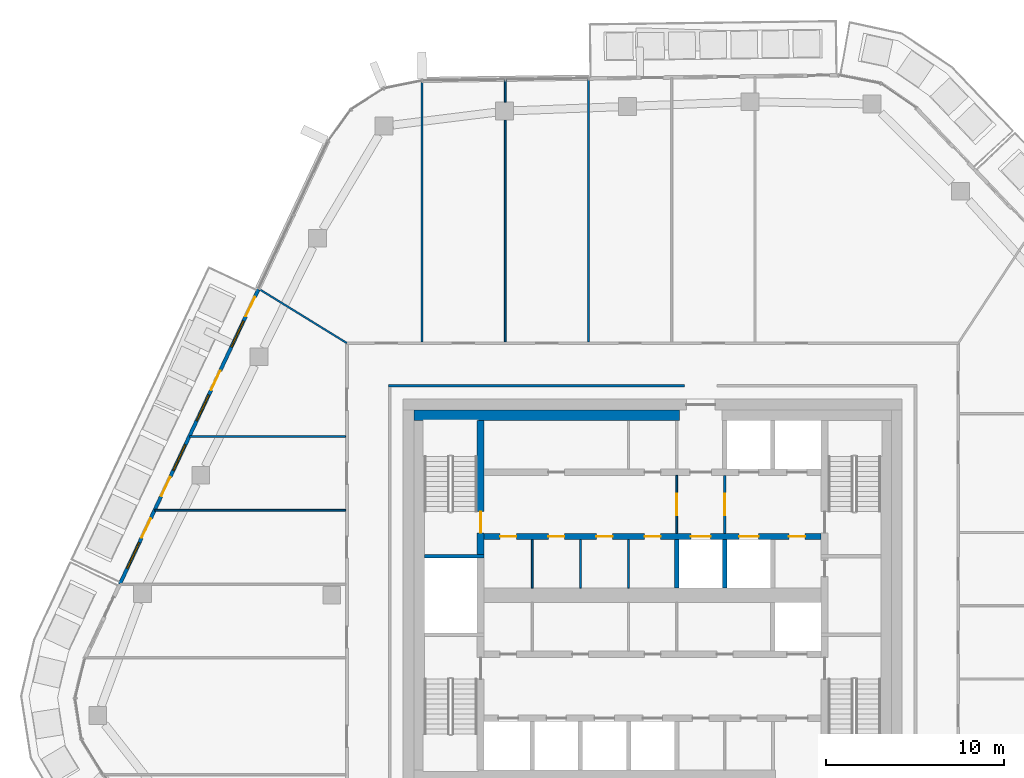
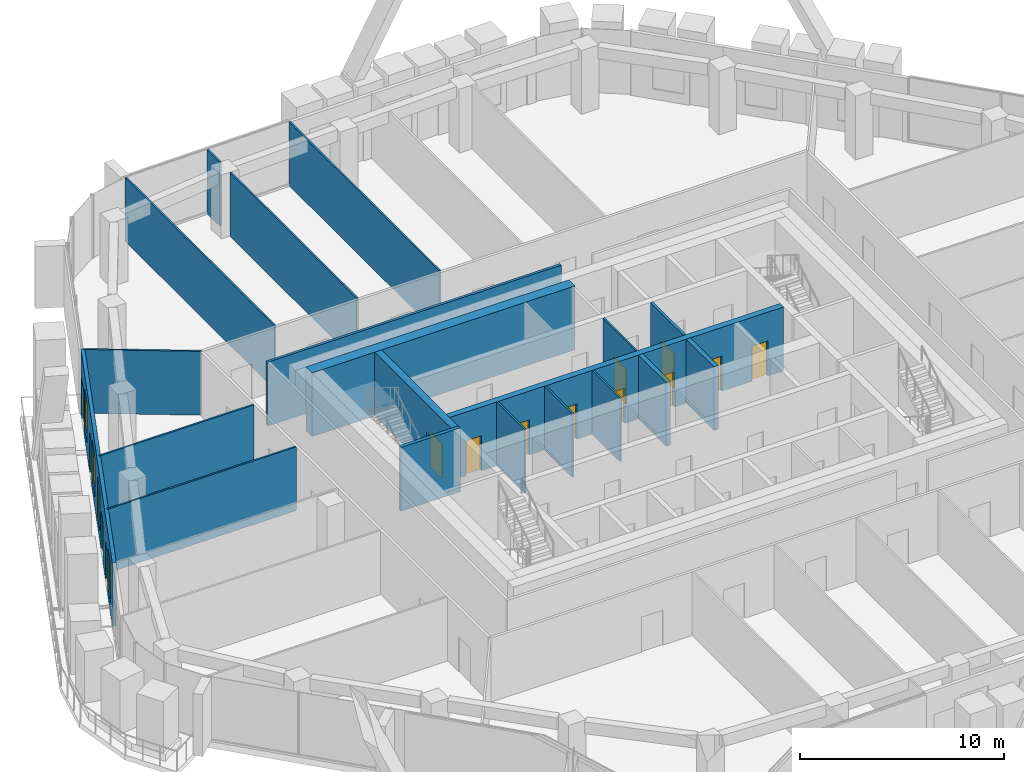
# One storey, part 15 of 23: 20 walls, 14 doors, 4 windows, 18 openings.
"""IFC4 building model written with IfcOpenShell, lengths in metres."""

import ifcopenshell
import ifcopenshell.guid

model = None  # the IFC model being written
_history = None  # IfcOwnerHistory: only IFC2X3 demands one
_inside = {}  # id of a spatial element -> (the spatial element, [elements in it])
_under = {}  # id of a project, library or spatial element -> (it, [spatial elements below it])
_declared = {}  # id of a project -> (the project, [libraries it declares])
_typed = {}  # id of a type object -> (the type object, [elements of that type])
_made_of = {}  # id of a material, layer set ... -> (it, [elements and type objects made of it])


def new_model(schema):
    """Start an empty IFC model of exactly this schema.

    Asked for "IFC4X3", IfcOpenShell would pick the latest addendum, in which some entities
    have other attributes; the version numbers below select the first issue.
    IFC2X3 requires an IfcOwnerHistory on every rooted entity: one is made here for all.
    """
    global model, _history
    if schema == "IFC4X3":
        model = ifcopenshell.file(schema_version=(4, 3, 0, 0))
    else:
        model = ifcopenshell.file(schema=schema)
    _inside.clear()
    _under.clear()
    _declared.clear()
    _typed.clear()
    _made_of.clear()
    _history = None
    if model.schema == "IFC2X3":
        org = make("IfcOrganization", Name="unknown")
        user = make(
            "IfcPersonAndOrganization",
            ThePerson=make("IfcPerson", FamilyName="unknown"),
            TheOrganization=org,
        )
        app = make(
            "IfcApplication",
            ApplicationDeveloper=org,
            Version="unknown",
            ApplicationFullName="unknown",
            ApplicationIdentifier="unknown",
        )
        _history = make(
            "IfcOwnerHistory",
            OwningUser=user,
            OwningApplication=app,
            ChangeAction="ADDED",
            CreationDate=0,
        )
    return model


def make(cls, **values):
    """One entity of the class cls with the attributes given. An attribute that is None is left unset."""
    return model.create_entity(
        cls, **{name: value for name, value in values.items() if value is not None}
    )


def rooted(cls, **values):
    """An entity with a GlobalId (a new one), such as an element, a storey or a relation."""
    return make(cls, GlobalId=ifcopenshell.guid.new(), OwnerHistory=_history, **values)


def si_unit(unit_type, name, prefix=None):
    """IfcSIUnit, for example si_unit("LENGTHUNIT", "METRE", prefix="MILLI")."""
    return make("IfcSIUnit", UnitType=unit_type, Prefix=prefix, Name=name)


def assignment(units):
    """IfcUnitAssignment: the units of a project."""
    return None if units is None else make("IfcUnitAssignment", Units=units)


def point(xyz):
    """IfcCartesianPoint."""
    return None if xyz is None else make("IfcCartesianPoint", Coordinates=xyz)


def direction(xyz):
    """IfcDirection."""
    return None if xyz is None else make("IfcDirection", DirectionRatios=xyz)


def frame(location, z_axis=None, x_axis=None):
    """IfcAxis2Placement3D, a coordinate frame: its origin and axes. An axis left out is left unset."""
    return make(
        "IfcAxis2Placement3D",
        Location=point(location),
        Axis=direction(z_axis),
        RefDirection=direction(x_axis),
    )


def frame_2d(location, x_axis=None):
    """IfcAxis2Placement2D, a coordinate frame in the plane: its origin and x axis."""
    return make(
        "IfcAxis2Placement2D", Location=point(location), RefDirection=direction(x_axis)
    )


def origin():
    """The frame at (0, 0, 0) with its axes left unset."""
    return frame((0.0, 0.0, 0.0))


def place(relative_to, where):
    """IfcLocalPlacement: puts the frame where relative to a parent placement (None: the world)."""
    return make(
        "IfcLocalPlacement", PlacementRelTo=relative_to, RelativePlacement=where
    )


def context(
    kind, dimensions, precision=None, world=None, true_north=None, identifier=None
):
    """IfcGeometricRepresentationContext, for example the 3D "Model" context."""
    return make(
        "IfcGeometricRepresentationContext",
        ContextIdentifier=identifier,
        ContextType=kind,
        CoordinateSpaceDimension=dimensions,
        Precision=precision,
        WorldCoordinateSystem=world,
        TrueNorth=true_north,
    )


def subcontext(parent, identifier, kind, view, scale=None):
    """IfcGeometricRepresentationSubContext, for example "Body" below "Model"."""
    return make(
        "IfcGeometricRepresentationSubContext",
        ContextIdentifier=identifier,
        ContextType=kind,
        ParentContext=parent,
        TargetScale=scale,
        TargetView=view,
    )


def project(units=None, contexts=None):
    """IfcProject with its units and contexts."""
    return rooted(
        "IfcProject",
        Name="project",
        RepresentationContexts=contexts,
        UnitsInContext=assignment(units),
    )


def spatial(cls, under=None, at=None, **own):
    """A site, building, storey or space (cls), placed at a placement, below another one or the project."""
    s = rooted(cls, ObjectPlacement=at, **own)
    if under is not None:
        _under.setdefault(under.id(), (under, []))[1].append(s)
    return s


def profile(cls, at=None, kind="AREA", **sizes):
    """A parametric profile (cls). Its sizes go by their IFC names, for example OverallWidth=200.0."""
    return make(cls, ProfileType=kind, Position=at, **sizes)


def rectangle(**sizes):
    """IfcRectangleProfileDef."""
    return profile("IfcRectangleProfileDef", **sizes)


def extrude(swept, where, along, depth):
    """IfcExtrudedAreaSolid: the profile swept, set in the frame where, extruded along a direction by depth."""
    return make(
        "IfcExtrudedAreaSolid",
        SweptArea=swept,
        Position=where,
        ExtrudedDirection=direction(along),
        Depth=depth,
    )


def shape(context_of_items, identifier, shape_type, items):
    """IfcShapeRepresentation: the items that make up one representation, for example the "Body"."""
    return make(
        "IfcShapeRepresentation",
        ContextOfItems=context_of_items,
        RepresentationIdentifier=identifier,
        RepresentationType=shape_type,
        Items=items,
    )


def material(Name=None, Category=None):
    """IfcMaterial."""
    return make("IfcMaterial", Name=Name, Category=Category)


def layer(
    of_material, thickness, ventilated=None, Name=None, Category=None, Priority=None
):
    """IfcMaterialLayer: one layer of a wall or slab, of a material (None: an air gap)."""
    return make(
        "IfcMaterialLayer",
        Material=of_material,
        LayerThickness=thickness,
        IsVentilated=ventilated,
        Name=Name,
        Category=Category,
        Priority=Priority,
    )


def layer_set(layers, Name=None):
    """IfcMaterialLayerSet."""
    return make("IfcMaterialLayerSet", MaterialLayers=layers, LayerSetName=Name)


def made_of(thing, what):
    """Note that an element or type object is made of a material, layer set ...; save() writes the relation."""
    if what is not None:
        _made_of.setdefault(what.id(), (what, []))[1].append(thing)
    return thing


def type_object(cls, material=None, **own):
    """A type object (cls), such as IfcWallType, which elements share."""
    return made_of(rooted(cls, **own), material)


def element(
    cls,
    number,
    at=None,
    inside=None,
    cuts=None,
    type_object=None,
    material=None,
    context=None,
    identifier="Body",
    shape_type=None,
    held_by="IfcProductDefinitionShape",
    body=None,
    shapes=None,
    **own,
):
    """One element of the class cls, such as IfcWall. Its Tag is "e" and its number.

    at: its placement. inside: the storey or other place that contains it. cuts: it is an
    opening in that element (IfcRelVoidsElement). A single representation is given by context,
    identifier, shape_type and body (its items); several are given by shapes. held_by: the class
    of the entity that holds the representations. save() writes the other relations.
    """
    e = rooted(cls, Tag="e%d" % number, ObjectPlacement=at, **own)
    if body is not None:
        shapes = [shape(context, identifier, shape_type, body)]
    if shapes is not None:
        e.Representation = make(held_by, Representations=shapes)
    if inside is not None:
        _inside.setdefault(inside.id(), (inside, []))[1].append(e)
    if cuts is not None:
        rooted(
            "IfcRelVoidsElement", RelatingBuildingElement=cuts, RelatedOpeningElement=e
        )
    if type_object is not None:
        _typed.setdefault(type_object.id(), (type_object, []))[1].append(e)
    return made_of(e, material)


def fill(opening, filler):
    """IfcRelFillsElement: the door or window that sits in an opening."""
    return rooted(
        "IfcRelFillsElement",
        RelatingOpeningElement=opening,
        RelatedBuildingElement=filler,
    )


def aggregate(whole, parts):
    """IfcRelAggregates: a whole, such as a stair, and the parts it consists of."""
    return rooted("IfcRelAggregates", RelatingObject=whole, RelatedObjects=parts)


def save(model, path):
    """Write the relations noted so far, then the file.

    IfcRelAggregates (storeys below a building ...), IfcRelContainedInSpatialStructure (elements
    in a storey), IfcRelDefinesByType, IfcRelAssociatesMaterial and IfcRelDeclares: one each for
    every whole, place, type object, material and project.
    """
    for whole, parts in _under.values():
        aggregate(whole, parts)
    for where, things in _inside.values():
        rooted(
            "IfcRelContainedInSpatialStructure",
            RelatedElements=things,
            RelatingStructure=where,
        )
    for kind, things in _typed.values():
        rooted("IfcRelDefinesByType", RelatedObjects=things, RelatingType=kind)
    for what, things in _made_of.values():
        rooted("IfcRelAssociatesMaterial", RelatedObjects=things, RelatingMaterial=what)
    for by, libraries in _declared.values():
        rooted("IfcRelDeclares", RelatingContext=by, RelatedDefinitions=libraries)
    model.write(path)


model = new_model("IFC4")

# Units and contexts
model_context = context("Model", 3, precision=1e-05, world=origin(), true_north=direction((0.0, 1.0)))
body_context = subcontext(model_context, "Body", "Model", "MODEL_VIEW")
ifc_project = project(units=[si_unit("LENGTHUNIT", "METRE"), si_unit("AREAUNIT", "SQUARE_METRE"), si_unit("VOLUMEUNIT", "CUBIC_METRE"), si_unit("PLANEANGLEUNIT", "RADIAN"), si_unit("MASSUNIT", "GRAM", prefix="KILO")], contexts=[model_context])

# Site, building, storey
site_placement = place(None, origin())
site = spatial("IfcSite", under=ifc_project, at=site_placement, CompositionType="ELEMENT")
building_placement = place(site_placement, origin())
building = spatial("IfcBuilding", under=site, at=building_placement, Name="Dongbaek Canopy Tower", CompositionType="ELEMENT")
storey_placement = place(building_placement, frame((0.0, 0.0, 340.39990234375)))
storey = spatial("IfcBuildingStorey", under=building, at=storey_placement, Name="L73", CompositionType="ELEMENT", Elevation=340.39990234375)

# Wall, openings, doors
ifc_material_1 = material(Name="Concrete C60/75", Category="concrete")
ifc_layer_1 = layer(ifc_material_1, 0.35009765625)
ifc_layer_set_1 = layer_set([ifc_layer_1], Name="Core lobby wall 350 Concrete C60/75")
wall_type_1 = type_object("IfcWallType", Name="Core lobby wall 350 Concrete C60/75", PredefinedType="SHEAR", material=ifc_layer_set_1)
wall_1_placement = place(storey_placement, frame((9.449951171875, 3.300048828125, 0.0), z_axis=(0.0, 0.0, 1.0), x_axis=(-1.0, 0.0, 0.0)))
wall_1 = element("IfcWall", 1, at=wall_1_placement, inside=storey, type_object=wall_type_1, Name="Core wall", PredefinedType="SHEAR", context=body_context, shape_type="SweptSolid", body=[
    extrude(rectangle(XDim=18.89990234375, YDim=0.35009765625, at=frame_2d((9.449951171875, 0.0))), origin(), (0.0, 0.0, 1.0), 3.820068359375),
])
opening_1_placement = place(wall_1_placement, frame((6.199951171875, 0.0, 0.0)))
opening_1 = element("IfcOpeningElement", 2, at=opening_1_placement, cuts=wall_1, Name="Opening L73-D030", PredefinedType="OPENING", context=body_context, shape_type="SweptSolid", body=[
    extrude(rectangle(XDim=1.10009765625, YDim=2.10009765625, at=frame_2d((0.550048828125, 1.050048828125))), frame((0.0, 0.18505859375, 0.0), z_axis=(0.0, -1.0, 0.0), x_axis=(1.0, 0.0, 0.0)), (0.0, 0.0, 1.0), 0.3701171875),
])
opening_2_placement = place(wall_1_placement, frame((3.5, 0.0, 0.0)))
opening_2 = element("IfcOpeningElement", 3, at=opening_2_placement, cuts=wall_1, Name="Opening L73-D031", PredefinedType="OPENING", context=body_context, shape_type="SweptSolid", body=[
    extrude(rectangle(XDim=1.10009765625, YDim=2.10009765625, at=frame_2d((0.550048828125, 1.050048828125))), frame((0.0, 0.18505859375, 0.0), z_axis=(0.0, -1.0, 0.0), x_axis=(1.0, 0.0, 0.0)), (0.0, 0.0, 1.0), 0.3701171875),
])
opening_3_placement = place(wall_1_placement, frame((0.89990234375, 0.0, 0.0)))
opening_3 = element("IfcOpeningElement", 4, at=opening_3_placement, cuts=wall_1, Name="Opening L73-D032", PredefinedType="OPENING", context=body_context, shape_type="SweptSolid", body=[
    extrude(rectangle(XDim=0.89990234375, YDim=2.10009765625, at=frame_2d((0.449951171875, 1.050048828125))), frame((0.0, 0.18505859375, 0.0), z_axis=(0.0, -1.0, 0.0), x_axis=(1.0, 0.0, 0.0)), (0.0, 0.0, 1.0), 0.3701171875),
])
opening_4_placement = place(wall_1_placement, frame((17.10009765625, 0.0, 0.0)))
opening_4 = element("IfcOpeningElement", 5, at=opening_4_placement, cuts=wall_1, Name="Opening L73-D042", PredefinedType="OPENING", context=body_context, shape_type="SweptSolid", body=[
    extrude(rectangle(XDim=0.89990234375, YDim=2.10009765625, at=frame_2d((0.449951171875, 1.050048828125))), frame((0.0, 0.18505859375, 0.0), z_axis=(0.0, -1.0, 0.0), x_axis=(1.0, 0.0, 0.0)), (0.0, 0.0, 1.0), 0.3701171875),
])
opening_5_placement = place(wall_1_placement, frame((14.39990234375, 0.0, 0.0)))
opening_5 = element("IfcOpeningElement", 6, at=opening_5_placement, cuts=wall_1, Name="Opening L73-D043", PredefinedType="OPENING", context=body_context, shape_type="SweptSolid", body=[
    extrude(rectangle(XDim=0.89990234375, YDim=2.10009765625, at=frame_2d((0.449951171875, 1.050048828125))), frame((0.0, 0.18505859375, 0.0), z_axis=(0.0, -1.0, 0.0), x_axis=(1.0, 0.0, 0.0)), (0.0, 0.0, 1.0), 0.3701171875),
])
opening_6_placement = place(wall_1_placement, frame((11.699951171875, 0.0, 0.0)))
opening_6 = element("IfcOpeningElement", 7, at=opening_6_placement, cuts=wall_1, Name="Opening L73-D044", PredefinedType="OPENING", context=body_context, shape_type="SweptSolid", body=[
    extrude(rectangle(XDim=0.89990234375, YDim=2.10009765625, at=frame_2d((0.449951171875, 1.050048828125))), frame((0.0, 0.18505859375, 0.0), z_axis=(0.0, -1.0, 0.0), x_axis=(1.0, 0.0, 0.0)), (0.0, 0.0, 1.0), 0.3701171875),
])
opening_7_placement = place(wall_1_placement, frame((9.0, 0.0, 0.0)))
opening_7 = element("IfcOpeningElement", 8, at=opening_7_placement, cuts=wall_1, Name="Opening L73-D045", PredefinedType="OPENING", context=body_context, shape_type="SweptSolid", body=[
    extrude(rectangle(XDim=0.89990234375, YDim=2.10009765625, at=frame_2d((0.449951171875, 1.050048828125))), frame((0.0, 0.18505859375, 0.0), z_axis=(0.0, -1.0, 0.0), x_axis=(1.0, 0.0, 0.0)), (0.0, 0.0, 1.0), 0.3701171875),
])
ifc_material_2 = material(Name="Steel", Category="steel")
door_type_1 = type_object("IfcDoorType", Name="Core room door 900 x 2100", OperationType="SINGLE_SWING_LEFT", PredefinedType="DOOR", material=ifc_material_2)
door_1_placement = place(opening_3_placement, origin())
door_1 = element("IfcDoor", 9, at=door_1_placement, inside=storey, type_object=door_type_1, Name="Door L73-D032", OperationType="SINGLE_SWING_LEFT", OverallHeight=2.10009765625, OverallWidth=0.89990234375, PredefinedType="DOOR", context=body_context, shape_type="SweptSolid", body=[
    extrude(rectangle(XDim=0.89990234375, YDim=2.10009765625, at=frame_2d((0.449951171875, 1.050048828125))), frame((0.0, 0.02490234375, 0.0), z_axis=(0.0, -1.0, 0.0), x_axis=(1.0, 0.0, 0.0)), (0.0, 0.0, 1.0), 0.050048828125),
])
fill(opening_3, door_1)
door_2_placement = place(opening_4_placement, origin())
door_2 = element("IfcDoor", 10, at=door_2_placement, inside=storey, type_object=door_type_1, Name="Door L73-D042", OperationType="SINGLE_SWING_RIGHT", OverallHeight=2.10009765625, OverallWidth=0.89990234375, PredefinedType="DOOR", context=body_context, shape_type="SweptSolid", body=[
    extrude(rectangle(XDim=0.89990234375, YDim=2.10009765625, at=frame_2d((0.449951171875, 1.050048828125))), frame((0.0, 0.02490234375, 0.0), z_axis=(0.0, -1.0, 0.0), x_axis=(1.0, 0.0, 0.0)), (0.0, 0.0, 1.0), 0.050048828125),
])
fill(opening_4, door_2)
door_3_placement = place(opening_5_placement, origin())
door_3 = element("IfcDoor", 11, at=door_3_placement, inside=storey, type_object=door_type_1, Name="Door L73-D043", OperationType="SINGLE_SWING_LEFT", OverallHeight=2.10009765625, OverallWidth=0.89990234375, PredefinedType="DOOR", context=body_context, shape_type="SweptSolid", body=[
    extrude(rectangle(XDim=0.89990234375, YDim=2.10009765625, at=frame_2d((0.449951171875, 1.050048828125))), frame((0.0, 0.02490234375, 0.0), z_axis=(0.0, -1.0, 0.0), x_axis=(1.0, 0.0, 0.0)), (0.0, 0.0, 1.0), 0.050048828125),
])
fill(opening_5, door_3)
door_4_placement = place(opening_6_placement, origin())
door_4 = element("IfcDoor", 12, at=door_4_placement, inside=storey, type_object=door_type_1, Name="Door L73-D044", OperationType="SINGLE_SWING_RIGHT", OverallHeight=2.10009765625, OverallWidth=0.89990234375, PredefinedType="DOOR", context=body_context, shape_type="SweptSolid", body=[
    extrude(rectangle(XDim=0.89990234375, YDim=2.10009765625, at=frame_2d((0.449951171875, 1.050048828125))), frame((0.0, 0.02490234375, 0.0), z_axis=(0.0, -1.0, 0.0), x_axis=(1.0, 0.0, 0.0)), (0.0, 0.0, 1.0), 0.050048828125),
])
fill(opening_6, door_4)
door_5_placement = place(opening_7_placement, origin())
door_5 = element("IfcDoor", 13, at=door_5_placement, inside=storey, type_object=door_type_1, Name="Door L73-D045", OperationType="SINGLE_SWING_LEFT", OverallHeight=2.10009765625, OverallWidth=0.89990234375, PredefinedType="DOOR", context=body_context, shape_type="SweptSolid", body=[
    extrude(rectangle(XDim=0.89990234375, YDim=2.10009765625, at=frame_2d((0.449951171875, 1.050048828125))), frame((0.0, 0.02490234375, 0.0), z_axis=(0.0, -1.0, 0.0), x_axis=(1.0, 0.0, 0.0)), (0.0, 0.0, 1.0), 0.050048828125),
])
fill(opening_7, door_5)
ifc_material_3 = material(Name="Stainless steel", Category="steel")
door_type_2 = type_object("IfcDoorType", Name="Lift landing door 1100 x 2100", OperationType="DOUBLE_DOOR_SLIDING", PredefinedType="DOOR", material=ifc_material_3)
door_6_placement = place(opening_1_placement, origin())
door_6 = element("IfcDoor", 14, at=door_6_placement, inside=storey, type_object=door_type_2, Name="Landing door SV1", OperationType="DOUBLE_DOOR_SLIDING", OverallHeight=2.10009765625, OverallWidth=1.10009765625, PredefinedType="DOOR", context=body_context, shape_type="SweptSolid", body=[
    extrude(rectangle(XDim=1.10009765625, YDim=2.10009765625, at=frame_2d((0.550048828125, 1.050048828125))), frame((0.0, 0.02490234375, 0.0), z_axis=(0.0, -1.0, 0.0), x_axis=(1.0, 0.0, 0.0)), (0.0, 0.0, 1.0), 0.050048828125),
])
fill(opening_1, door_6)
door_7_placement = place(opening_2_placement, origin())
door_7 = element("IfcDoor", 15, at=door_7_placement, inside=storey, type_object=door_type_2, Name="Landing door FF3", OperationType="DOUBLE_DOOR_SLIDING", OverallHeight=2.10009765625, OverallWidth=1.10009765625, PredefinedType="DOOR", context=body_context, shape_type="SweptSolid", body=[
    extrude(rectangle(XDim=1.10009765625, YDim=2.10009765625, at=frame_2d((0.550048828125, 1.050048828125))), frame((0.0, 0.02490234375, 0.0), z_axis=(0.0, -1.0, 0.0), x_axis=(1.0, 0.0, 0.0)), (0.0, 0.0, 1.0), 0.050048828125),
])
fill(opening_2, door_7)

# Walls
ifc_material_4 = material(Name="Concrete C60/75", Category="concrete")
ifc_layer_2 = layer(ifc_material_4, 0.60009765625)
ifc_layer_set_2 = layer_set([ifc_layer_2], Name="Core wall lining 600 Concrete C60/75")
wall_type_2 = type_object("IfcWallType", Name="Core wall lining 600 Concrete C60/75", PredefinedType="SHEAR", material=ifc_layer_set_2)
wall_2_placement = place(storey_placement, frame((-13.39990234375, 10.10009765625, 0.0), z_axis=(0.0, 0.0, 1.0), x_axis=(1.0, 0.0, 0.0)))
element("IfcWall", 16, at=wall_2_placement, inside=storey, type_object=wall_type_2, Name="Core wall lining", PredefinedType="SHEAR", context=body_context, shape_type="SweptSolid", body=[
    extrude(rectangle(XDim=14.89990234375, YDim=0.60009765625, at=frame_2d((7.449951171875, 0.0))), origin(), (0.0, 0.0, 1.0), 3.820068359375),
])
ifc_material_5 = material(Name="Gypsum board partition, steel stud, 2 x 15 mm fire board", Category="steel")
ifc_layer_3 = layer(ifc_material_5, 0.14990234375)
ifc_layer_set_3 = layer_set([ifc_layer_3], Name="Fire-rated partition 150 gypsum board")
wall_type_3 = type_object("IfcWallType", Name="Fire-rated partition 150 gypsum board", PredefinedType="PARTITIONING", material=ifc_layer_set_3)
wall_3_placement = place(storey_placement, frame((-14.824951171875, 11.75, 0.0), z_axis=(0.0, 0.0, 1.0), x_axis=(1.0, 0.0, 0.0)))
element("IfcWall", 17, at=wall_3_placement, inside=storey, type_object=wall_type_3, Name="Corridor partition", PredefinedType="PARTITIONING", context=body_context, shape_type="SweptSolid", body=[
    extrude(rectangle(XDim=16.625, YDim=0.14990234375, at=frame_2d((8.3125, 0.0))), origin(), (0.0, 0.0, 1.0), 3.820068359375),
])

# Wall, opening, door
wall_4_placement = place(storey_placement, frame((4.050048828125, 6.72509765625, 0.0), z_axis=(0.0, 0.0, 1.0), x_axis=(0.0, -1.0, 0.0)))
wall_4 = element("IfcWall", 18, at=wall_4_placement, inside=storey, type_object=wall_type_3, Name="Fire lobby partition", PredefinedType="PARTITIONING", context=body_context, shape_type="SweptSolid", body=[
    extrude(rectangle(XDim=3.25, YDim=0.14990234375, at=frame_2d((1.625, 0.0))), origin(), (0.0, 0.0, 1.0), 3.820068359375),
])
opening_8_placement = place(wall_4_placement, frame((1.02490234375, 0.0, 0.0)))
opening_8 = element("IfcOpeningElement", 19, at=opening_8_placement, cuts=wall_4, Name="Opening L73-D057", PredefinedType="OPENING", context=body_context, shape_type="SweptSolid", body=[
    extrude(rectangle(XDim=1.199951171875, YDim=2.10009765625, at=frame_2d((0.60009765625, 1.050048828125))), frame((0.0, 0.0849609375, 0.0), z_axis=(0.0, -1.0, 0.0), x_axis=(1.0, 0.0, 0.0)), (0.0, 0.0, 1.0), 0.169921875),
])
ifc_material_6 = material(Name="Steel", Category="steel")
door_type_3 = type_object("IfcDoorType", Name="Fire lobby door 1200 x 2100", OperationType="SINGLE_SWING_LEFT", PredefinedType="DOOR", material=ifc_material_6)
door_8_placement = place(opening_8_placement, origin())
door_8 = element("IfcDoor", 20, at=door_8_placement, inside=storey, type_object=door_type_3, Name="Door L73-D057", OperationType="SINGLE_SWING_RIGHT", OverallHeight=2.10009765625, OverallWidth=1.199951171875, PredefinedType="DOOR", context=body_context, shape_type="SweptSolid", body=[
    extrude(rectangle(XDim=1.199951171875, YDim=2.10009765625, at=frame_2d((0.60009765625, 1.050048828125))), frame((0.0, 0.02490234375, 0.0), z_axis=(0.0, -1.0, 0.0), x_axis=(1.0, 0.0, 0.0)), (0.0, 0.0, 1.0), 0.050048828125),
])
fill(opening_8, door_8)

# Walls
ifc_material_7 = material(Name="Concrete C40/50", Category="concrete")
ifc_layer_4 = layer(ifc_material_7, 0.25)
ifc_layer_set_4 = layer_set([ifc_layer_4], Name="Lift shaft wall 250 Concrete C40/50")
wall_type_4 = type_object("IfcWallType", Name="Lift shaft wall 250 Concrete C40/50", PredefinedType="SOLIDWALL", material=ifc_layer_set_4)
for number, where, z_axis, x_axis, name in (
    (21, (4.050048828125, 0.39990234375, 0.0), (0.0, 0.0, 1.0), (0.0, 1.0, 0.0), "Lift shaft wall"),
    (22, (1.35009765625, 0.39990234375, 0.0), (0.0, 0.0, 1.0), (0.0, 1.0, 0.0), "Lift shaft wall"),
):
    element("IfcWall", number, at=place(storey_placement, frame(where, z_axis=z_axis, x_axis=x_axis)), inside=storey, type_object=wall_type_4, Name=name, PredefinedType="SOLIDWALL", context=body_context, shape_type="SweptSolid", body=[
        extrude(rectangle(XDim=2.72509765625, YDim=0.25, at=frame_2d((1.362548828125, 0.0))), origin(), (0.0, 0.0, 1.0), 3.820068359375),
    ])
ifc_material_8 = material(Name="Gypsum board partition, steel stud, 2 x 12.5 mm board", Category="steel")
ifc_layer_5 = layer(ifc_material_8, 0.10009765625)
ifc_layer_set_5 = layer_set([ifc_layer_5], Name="Partition 100 gypsum board")
wall_type_5 = type_object("IfcWallType", Name="Partition 100 gypsum board", PredefinedType="PARTITIONING", material=ifc_layer_set_5)
wall_5_placement = place(storey_placement, frame((-27.919677734375, 4.76806640625, 0.0), z_axis=(0.0, 0.0, 1.0), x_axis=(1.0, 0.0, 0.0)))
element("IfcWall", 23, at=wall_5_placement, inside=storey, type_object=wall_type_5, Name="Partition", PredefinedType="PARTITIONING", context=body_context, shape_type="SweptSolid", body=[
    extrude(rectangle(XDim=10.694580078125, YDim=0.10009765625, at=frame_2d((5.34716796875, 0.0))), origin(), (0.0, 0.0, 1.0), 3.820068359375),
])
wall_6_placement = place(storey_placement, frame((-25.971923828125, 8.910888671875, 0.0), z_axis=(0.0, 0.0, 1.0), x_axis=(1.0, 0.0, 0.0)))
element("IfcWall", 24, at=wall_6_placement, inside=storey, type_object=wall_type_5, Name="Partition", PredefinedType="PARTITIONING", context=body_context, shape_type="SweptSolid", body=[
    extrude(rectangle(XDim=8.746826171875, YDim=0.10009765625, at=frame_2d((4.37353515625, 0.0))), origin(), (0.0, 0.0, 1.0), 3.820068359375),
])
wall_7_placement = place(storey_placement, frame((-3.593017578125, 14.22509765625, 0.0), z_axis=(0.0, 0.0, 1.0), x_axis=(0.0, 1.0, 0.0)))
element("IfcWall", 25, at=wall_7_placement, inside=storey, type_object=wall_type_5, Name="Partition", PredefinedType="PARTITIONING", context=body_context, shape_type="SweptSolid", body=[
    extrude(rectangle(XDim=14.746826171875, YDim=0.10009765625, at=frame_2d((7.37353515625, 0.0))), origin(), (0.0, 0.0, 1.0), 3.820068359375),
])
wall_8_placement = place(storey_placement, frame((-8.26806640625, 14.22509765625, 0.0), z_axis=(0.0, 0.0, 1.0), x_axis=(0.0, 1.0, 0.0)))
element("IfcWall", 26, at=wall_8_placement, inside=storey, type_object=wall_type_5, Name="Partition", PredefinedType="PARTITIONING", context=body_context, shape_type="SweptSolid", body=[
    extrude(rectangle(XDim=12.43896484375, YDim=0.10009765625, at=frame_2d((6.219482421875, 0.0))), origin(), (0.0, 0.0, 1.0), 3.820068359375),
])
wall_9_placement = place(storey_placement, frame((-8.26806640625, 27.6640625, 0.0), z_axis=(0.0, 0.0, 1.0), x_axis=(0.0, 1.0, 0.0)))
element("IfcWall", 27, at=wall_9_placement, inside=storey, type_object=wall_type_5, Name="Partition", PredefinedType="PARTITIONING", context=body_context, shape_type="SweptSolid", body=[
    extrude(rectangle(XDim=1.246337890625, YDim=0.10009765625, at=frame_2d((0.623046875, 0.0))), origin(), (0.0, 0.0, 1.0), 3.820068359375),
])
wall_10_placement = place(storey_placement, frame((-12.931884765625, 14.22509765625, 0.0), z_axis=(0.0, 0.0, 1.0), x_axis=(0.0, 1.0, 0.0)))
element("IfcWall", 28, at=wall_10_placement, inside=storey, type_object=wall_type_5, Name="Partition", PredefinedType="PARTITIONING", context=body_context, shape_type="SweptSolid", body=[
    extrude(rectangle(XDim=14.62353515625, YDim=0.10009765625, at=frame_2d((7.311767578125, 0.0))), origin(), (0.0, 0.0, 1.0), 3.820068359375),
])
wall_11_placement = place(storey_placement, frame((-22.081298828125, 17.185302734375, 0.0), z_axis=(0.0, 0.0, 1.0), x_axis=(0.85162357217, -0.524153881341, 0.0)))
element("IfcWall", 29, at=wall_11_placement, inside=storey, type_object=wall_type_5, Name="Partition", PredefinedType="PARTITIONING", context=body_context, shape_type="SweptSolid", body=[
    extrude(rectangle(XDim=5.79052734375, YDim=0.10009765625, at=frame_2d((2.895263671875, 0.0))), origin(), (0.0, 0.0, 1.0), 3.820068359375),
])

# Wall, opening, door
wall_12_placement = place(storey_placement, frame((1.35009765625, 6.72509765625, 0.0), z_axis=(0.0, 0.0, 1.0), x_axis=(0.0, -1.0, 0.0)))
wall_12 = element("IfcWall", 30, at=wall_12_placement, inside=storey, type_object=wall_type_5, Name="Core partition", PredefinedType="PARTITIONING", context=body_context, shape_type="SweptSolid", body=[
    extrude(rectangle(XDim=3.25, YDim=0.10009765625, at=frame_2d((1.625, 0.0))), origin(), (0.0, 0.0, 1.0), 3.820068359375),
])
opening_9_placement = place(wall_12_placement, frame((1.02490234375, 0.0, 0.0)))
opening_9 = element("IfcOpeningElement", 31, at=opening_9_placement, cuts=wall_12, Name="Opening L73-D056", PredefinedType="OPENING", context=body_context, shape_type="SweptSolid", body=[
    extrude(rectangle(XDim=1.199951171875, YDim=2.10009765625, at=frame_2d((0.60009765625, 1.050048828125))), frame((0.0, 0.06005859375, 0.0), z_axis=(0.0, -1.0, 0.0), x_axis=(1.0, 0.0, 0.0)), (0.0, 0.0, 1.0), 0.1201171875),
])
door_9_placement = place(opening_9_placement, origin())
door_9 = element("IfcDoor", 32, at=door_9_placement, inside=storey, type_object=door_type_3, Name="Door L73-D056", OperationType="SINGLE_SWING_LEFT", OverallHeight=2.10009765625, OverallWidth=1.199951171875, PredefinedType="DOOR", context=body_context, shape_type="SweptSolid", body=[
    extrude(rectangle(XDim=1.199951171875, YDim=2.10009765625, at=frame_2d((0.60009765625, 1.050048828125))), frame((0.0, 0.02490234375, 0.0), z_axis=(0.0, -1.0, 0.0), x_axis=(1.0, 0.0, 0.0)), (0.0, 0.0, 1.0), 0.050048828125),
])
fill(opening_9, door_9)

# Walls
for number, where, z_axis, x_axis, name in (
    (33, (-1.35009765625, 0.39990234375, 0.0), (0.0, 0.0, 1.0), (0.0, 1.0, 0.0), "Core partition"),
    (34, (-4.050048828125, 0.39990234375, 0.0), (0.0, 0.0, 1.0), (0.0, 1.0, 0.0), "Core partition"),
    (35, (-6.75, 0.39990234375, 0.0), (0.0, 0.0, 1.0), (0.0, 1.0, 0.0), "Core partition"),
):
    element("IfcWall", number, at=place(storey_placement, frame(where, z_axis=z_axis, x_axis=x_axis)), inside=storey, type_object=wall_type_5, Name=name, PredefinedType="PARTITIONING", context=body_context, shape_type="SweptSolid", body=[
        extrude(rectangle(XDim=2.72509765625, YDim=0.10009765625, at=frame_2d((1.362548828125, 0.0))), origin(), (0.0, 0.0, 1.0), 3.820068359375),
    ])
ifc_material_9 = material(Name="Concrete C60/75", Category="concrete")
ifc_layer_6 = layer(ifc_material_9, 0.199951171875)
ifc_layer_set_6 = layer_set([ifc_layer_6], Name="Riser wall 200 Concrete C60/75")
wall_type_6 = type_object("IfcWallType", Name="Riser wall 200 Concrete C60/75", PredefinedType="SHEAR", material=ifc_layer_set_6)
wall_13_placement = place(storey_placement, frame((-9.449951171875, 2.199951171875, 0.0), z_axis=(0.0, 0.0, 1.0), x_axis=(-1.0, 0.0, 0.0)))
element("IfcWall", 36, at=wall_13_placement, inside=storey, type_object=wall_type_6, Name="Riser wall", PredefinedType="SHEAR", context=body_context, shape_type="SweptSolid", body=[
    extrude(rectangle(XDim=3.35009765625, YDim=0.199951171875, at=frame_2d((1.675048828125, 0.0))), origin(), (0.0, 0.0, 1.0), 3.820068359375),
])

# Wall, opening, door
ifc_material_10 = material(Name="Concrete C60/75", Category="concrete")
ifc_layer_7 = layer(ifc_material_10, 0.39990234375)
ifc_layer_set_7 = layer_set([ifc_layer_7], Name="Stair wall 400 Concrete C60/75")
wall_type_7 = type_object("IfcWallType", Name="Stair wall 400 Concrete C60/75", PredefinedType="SHEAR", material=ifc_layer_set_7)
wall_14_placement = place(storey_placement, frame((-9.64990234375, 2.300048828125, 0.0), z_axis=(0.0, 0.0, 1.0), x_axis=(0.0, 1.0, 0.0)))
wall_14 = element("IfcWall", 37, at=wall_14_placement, inside=storey, type_object=wall_type_7, Name="Stair wall", PredefinedType="SHEAR", context=body_context, shape_type="SweptSolid", body=[
    extrude(rectangle(XDim=7.5, YDim=0.39990234375, at=frame_2d((3.75, 0.0))), origin(), (0.0, 0.0, 1.0), 3.820068359375),
])
opening_10_placement = place(wall_14_placement, frame((1.199951171875, 0.0, 0.0)))
opening_10 = element("IfcOpeningElement", 38, at=opening_10_placement, cuts=wall_14, Name="Opening L73-D053", PredefinedType="OPENING", context=body_context, shape_type="SweptSolid", body=[
    extrude(rectangle(XDim=1.199951171875, YDim=2.10009765625, at=frame_2d((0.60009765625, 1.050048828125))), frame((0.0, 0.2099609375, 0.0), z_axis=(0.0, -1.0, 0.0), x_axis=(1.0, 0.0, 0.0)), (0.0, 0.0, 1.0), 0.419921875),
])
ifc_material_11 = material(Name="Steel", Category="steel")
door_type_4 = type_object("IfcDoorType", Name="Stair door 1200 x 2100", OperationType="SINGLE_SWING_LEFT", PredefinedType="DOOR", material=ifc_material_11)
door_10_placement = place(opening_10_placement, origin())
door_10 = element("IfcDoor", 39, at=door_10_placement, inside=storey, type_object=door_type_4, Name="Stair C door", OperationType="SINGLE_SWING_RIGHT", OverallHeight=2.10009765625, OverallWidth=1.199951171875, PredefinedType="DOOR", context=body_context, shape_type="SweptSolid", body=[
    extrude(rectangle(XDim=1.199951171875, YDim=2.10009765625, at=frame_2d((0.60009765625, 1.050048828125))), frame((0.0, 0.02490234375, 0.0), z_axis=(0.0, -1.0, 0.0), x_axis=(1.0, 0.0, 0.0)), (0.0, 0.0, 1.0), 0.050048828125),
])
fill(opening_10, door_10)

# Wall, openings, doors, windows
ifc_material_12 = material(Name="Aluminium window wall", Category="aluminium")
ifc_layer_8 = layer(ifc_material_12, 0.199951171875)
ifc_layer_set_8 = layer_set([ifc_layer_8], Name="Window wall 200")
wall_type_8 = type_object("IfcWallType", Name="Window wall 200", PredefinedType="SOLIDWALL", material=ifc_layer_set_8)
wall_15_placement = place(storey_placement, frame((-22.098876953125, 17.195068359375, 0.0), z_axis=(0.0, 0.0, 1.0), x_axis=(-0.425492631057, -0.904961889206, 0.0)))
wall_15 = element("IfcWall", 40, at=wall_15_placement, inside=storey, type_object=wall_type_8, Name="Window wall L73 3", PredefinedType="SOLIDWALL", context=body_context, shape_type="SweptSolid", body=[
    extrude(rectangle(XDim=18.309326171875, YDim=0.199951171875, at=frame_2d((9.15478515625, 0.0))), origin(), (0.0, 0.0, 1.0), 3.820068359375),
])
opening_11_placement = place(wall_15_placement, frame((2.0, 0.0, 0.60009765625)))
opening_11 = element("IfcOpeningElement", 41, at=opening_11_placement, cuts=wall_15, Name="Opening W1", PredefinedType="OPENING", context=body_context, shape_type="SweptSolid", body=[
    extrude(rectangle(XDim=1.60009765625, YDim=2.39990234375, at=frame_2d((0.800048828125, 1.199951171875))), frame((0.0, 0.10986328125, 0.0), z_axis=(0.0, -1.0, 0.0), x_axis=(1.0, 0.0, 0.0)), (0.0, 0.0, 1.0), 0.219970703125),
])
opening_12_placement = place(wall_15_placement, frame((0.5, 0.0, 0.0)))
opening_12 = element("IfcOpeningElement", 42, at=opening_12_placement, cuts=wall_15, Name="Opening L73-B07", PredefinedType="OPENING", context=body_context, shape_type="SweptSolid", body=[
    extrude(rectangle(XDim=1.199951171875, YDim=2.39990234375, at=frame_2d((0.60009765625, 1.199951171875))), frame((0.0, 0.10986328125, 0.0), z_axis=(0.0, -1.0, 0.0), x_axis=(1.0, 0.0, 0.0)), (0.0, 0.0, 1.0), 0.219970703125),
])
opening_13_placement = place(wall_15_placement, frame((6.577392578125, 0.0, 0.60009765625)))
opening_13 = element("IfcOpeningElement", 43, at=opening_13_placement, cuts=wall_15, Name="Opening W1", PredefinedType="OPENING", context=body_context, shape_type="SweptSolid", body=[
    extrude(rectangle(XDim=1.60009765625, YDim=2.39990234375, at=frame_2d((0.800048828125, 1.199951171875))), frame((0.0, 0.10986328125, 0.0), z_axis=(0.0, -1.0, 0.0), x_axis=(1.0, 0.0, 0.0)), (0.0, 0.0, 1.0), 0.219970703125),
])
opening_14_placement = place(wall_15_placement, frame((5.077392578125, 0.0, 0.0)))
opening_14 = element("IfcOpeningElement", 44, at=opening_14_placement, cuts=wall_15, Name="Opening L73-B08", PredefinedType="OPENING", context=body_context, shape_type="SweptSolid", body=[
    extrude(rectangle(XDim=1.199951171875, YDim=2.39990234375, at=frame_2d((0.60009765625, 1.199951171875))), frame((0.0, 0.10986328125, 0.0), z_axis=(0.0, -1.0, 0.0), x_axis=(1.0, 0.0, 0.0)), (0.0, 0.0, 1.0), 0.219970703125),
])
opening_15_placement = place(wall_15_placement, frame((9.65478515625, 0.0, 0.60009765625)))
opening_15 = element("IfcOpeningElement", 45, at=opening_15_placement, cuts=wall_15, Name="Opening W1", PredefinedType="OPENING", context=body_context, shape_type="SweptSolid", body=[
    extrude(rectangle(XDim=1.60009765625, YDim=2.39990234375, at=frame_2d((0.800048828125, 1.199951171875))), frame((0.0, 0.10986328125, 0.0), z_axis=(0.0, -1.0, 0.0), x_axis=(1.0, 0.0, 0.0)), (0.0, 0.0, 1.0), 0.219970703125),
])
opening_16_placement = place(wall_15_placement, frame((11.65478515625, 0.0, 0.0)))
opening_16 = element("IfcOpeningElement", 46, at=opening_16_placement, cuts=wall_15, Name="Opening L73-B09", PredefinedType="OPENING", context=body_context, shape_type="SweptSolid", body=[
    extrude(rectangle(XDim=1.199951171875, YDim=2.39990234375, at=frame_2d((0.60009765625, 1.199951171875))), frame((0.0, 0.10986328125, 0.0), z_axis=(0.0, -1.0, 0.0), x_axis=(1.0, 0.0, 0.0)), (0.0, 0.0, 1.0), 0.219970703125),
])
opening_17_placement = place(wall_15_placement, frame((15.732177734375, 0.0, 0.60009765625)))
opening_17 = element("IfcOpeningElement", 47, at=opening_17_placement, cuts=wall_15, Name="Opening W1", PredefinedType="OPENING", context=body_context, shape_type="SweptSolid", body=[
    extrude(rectangle(XDim=1.60009765625, YDim=2.39990234375, at=frame_2d((0.800048828125, 1.199951171875))), frame((0.0, 0.10986328125, 0.0), z_axis=(0.0, -1.0, 0.0), x_axis=(1.0, 0.0, 0.0)), (0.0, 0.0, 1.0), 0.219970703125),
])
opening_18_placement = place(wall_15_placement, frame((14.232177734375, 0.0, 0.0)))
opening_18 = element("IfcOpeningElement", 48, at=opening_18_placement, cuts=wall_15, Name="Opening L73-B10", PredefinedType="OPENING", context=body_context, shape_type="SweptSolid", body=[
    extrude(rectangle(XDim=1.199951171875, YDim=2.39990234375, at=frame_2d((0.60009765625, 1.199951171875))), frame((0.0, 0.10986328125, 0.0), z_axis=(0.0, -1.0, 0.0), x_axis=(1.0, 0.0, 0.0)), (0.0, 0.0, 1.0), 0.219970703125),
])
ifc_material_13 = material(Name="Clear glazing in aluminium frame", Category="aluminium")
door_type_5 = type_object("IfcDoorType", Name="Balcony door BD1 1200 x 2400", OperationType="SLIDING_TO_LEFT", PredefinedType="DOOR", material=ifc_material_13)
door_11_placement = place(opening_12_placement, origin())
door_11 = element("IfcDoor", 49, at=door_11_placement, inside=storey, type_object=door_type_5, Name="Balcony door L73-B07", OperationType="SLIDING_TO_LEFT", OverallHeight=2.39990234375, OverallWidth=1.199951171875, PredefinedType="DOOR", context=body_context, shape_type="SweptSolid", body=[
    extrude(rectangle(XDim=1.199951171875, YDim=2.39990234375, at=frame_2d((0.60009765625, 1.199951171875))), frame((0.0, 0.02490234375, 0.0), z_axis=(0.0, -1.0, 0.0), x_axis=(1.0, 0.0, 0.0)), (0.0, 0.0, 1.0), 0.050048828125),
])
fill(opening_12, door_11)
door_12_placement = place(opening_14_placement, origin())
door_12 = element("IfcDoor", 50, at=door_12_placement, inside=storey, type_object=door_type_5, Name="Balcony door L73-B08", OperationType="SLIDING_TO_LEFT", OverallHeight=2.39990234375, OverallWidth=1.199951171875, PredefinedType="DOOR", context=body_context, shape_type="SweptSolid", body=[
    extrude(rectangle(XDim=1.199951171875, YDim=2.39990234375, at=frame_2d((0.60009765625, 1.199951171875))), frame((0.0, 0.02490234375, 0.0), z_axis=(0.0, -1.0, 0.0), x_axis=(1.0, 0.0, 0.0)), (0.0, 0.0, 1.0), 0.050048828125),
])
fill(opening_14, door_12)
door_13_placement = place(opening_16_placement, origin())
door_13 = element("IfcDoor", 51, at=door_13_placement, inside=storey, type_object=door_type_5, Name="Balcony door L73-B09", OperationType="SLIDING_TO_LEFT", OverallHeight=2.39990234375, OverallWidth=1.199951171875, PredefinedType="DOOR", context=body_context, shape_type="SweptSolid", body=[
    extrude(rectangle(XDim=1.199951171875, YDim=2.39990234375, at=frame_2d((0.60009765625, 1.199951171875))), frame((0.0, 0.02490234375, 0.0), z_axis=(0.0, -1.0, 0.0), x_axis=(1.0, 0.0, 0.0)), (0.0, 0.0, 1.0), 0.050048828125),
])
fill(opening_16, door_13)
door_14_placement = place(opening_18_placement, origin())
door_14 = element("IfcDoor", 52, at=door_14_placement, inside=storey, type_object=door_type_5, Name="Balcony door L73-B10", OperationType="SLIDING_TO_LEFT", OverallHeight=2.39990234375, OverallWidth=1.199951171875, PredefinedType="DOOR", context=body_context, shape_type="SweptSolid", body=[
    extrude(rectangle(XDim=1.199951171875, YDim=2.39990234375, at=frame_2d((0.60009765625, 1.199951171875))), frame((0.0, 0.02490234375, 0.0), z_axis=(0.0, -1.0, 0.0), x_axis=(1.0, 0.0, 0.0)), (0.0, 0.0, 1.0), 0.050048828125),
])
fill(opening_18, door_14)
ifc_material_14 = material(Name="Clear glazing in aluminium frame", Category="aluminium")
window_type = type_object("IfcWindowType", Name="Window W1 1600 x 2400", PartitioningType="SINGLE_PANEL", PredefinedType="WINDOW", material=ifc_material_14)
window_1_placement = place(opening_11_placement, origin())
window_1 = element("IfcWindow", 53, at=window_1_placement, inside=storey, type_object=window_type, Name="Window L73 3.1", OverallHeight=2.39990234375, OverallWidth=1.60009765625, PartitioningType="SINGLE_PANEL", PredefinedType="WINDOW", context=body_context, shape_type="SweptSolid", body=[
    extrude(rectangle(XDim=1.60009765625, YDim=2.39990234375, at=frame_2d((0.800048828125, 1.199951171875))), frame((0.0, 0.030029296875, 0.0), z_axis=(0.0, -1.0, 0.0), x_axis=(1.0, 0.0, 0.0)), (0.0, 0.0, 1.0), 0.06005859375),
])
fill(opening_11, window_1)
window_2_placement = place(opening_13_placement, origin())
window_2 = element("IfcWindow", 54, at=window_2_placement, inside=storey, type_object=window_type, Name="Window L73 3.2", OverallHeight=2.39990234375, OverallWidth=1.60009765625, PartitioningType="SINGLE_PANEL", PredefinedType="WINDOW", context=body_context, shape_type="SweptSolid", body=[
    extrude(rectangle(XDim=1.60009765625, YDim=2.39990234375, at=frame_2d((0.800048828125, 1.199951171875))), frame((0.0, 0.030029296875, 0.0), z_axis=(0.0, -1.0, 0.0), x_axis=(1.0, 0.0, 0.0)), (0.0, 0.0, 1.0), 0.06005859375),
])
fill(opening_13, window_2)
window_3_placement = place(opening_15_placement, origin())
window_3 = element("IfcWindow", 55, at=window_3_placement, inside=storey, type_object=window_type, Name="Window L73 3.3", OverallHeight=2.39990234375, OverallWidth=1.60009765625, PartitioningType="SINGLE_PANEL", PredefinedType="WINDOW", context=body_context, shape_type="SweptSolid", body=[
    extrude(rectangle(XDim=1.60009765625, YDim=2.39990234375, at=frame_2d((0.800048828125, 1.199951171875))), frame((0.0, 0.030029296875, 0.0), z_axis=(0.0, -1.0, 0.0), x_axis=(1.0, 0.0, 0.0)), (0.0, 0.0, 1.0), 0.06005859375),
])
fill(opening_15, window_3)
window_4_placement = place(opening_17_placement, origin())
window_4 = element("IfcWindow", 56, at=window_4_placement, inside=storey, type_object=window_type, Name="Window L73 3.4", OverallHeight=2.39990234375, OverallWidth=1.60009765625, PartitioningType="SINGLE_PANEL", PredefinedType="WINDOW", context=body_context, shape_type="SweptSolid", body=[
    extrude(rectangle(XDim=1.60009765625, YDim=2.39990234375, at=frame_2d((0.800048828125, 1.199951171875))), frame((0.0, 0.030029296875, 0.0), z_axis=(0.0, -1.0, 0.0), x_axis=(1.0, 0.0, 0.0)), (0.0, 0.0, 1.0), 0.06005859375),
])
fill(opening_17, window_4)

save(model, "model.ifc")
